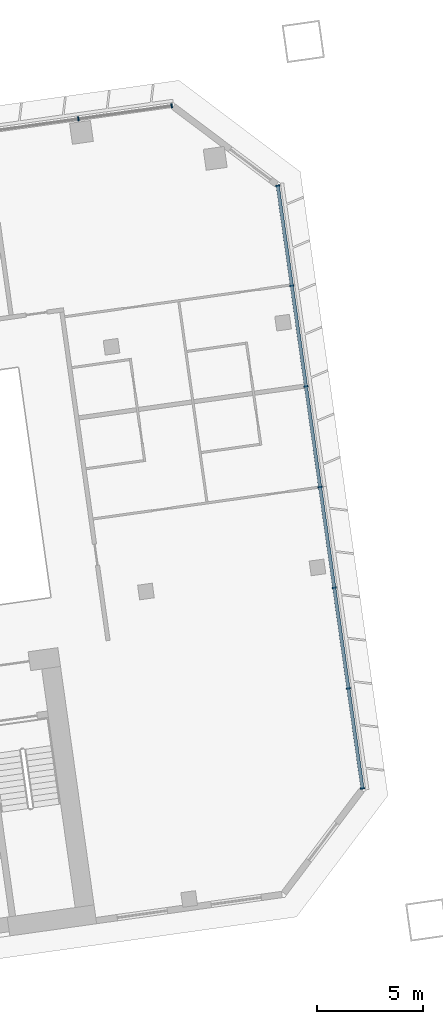
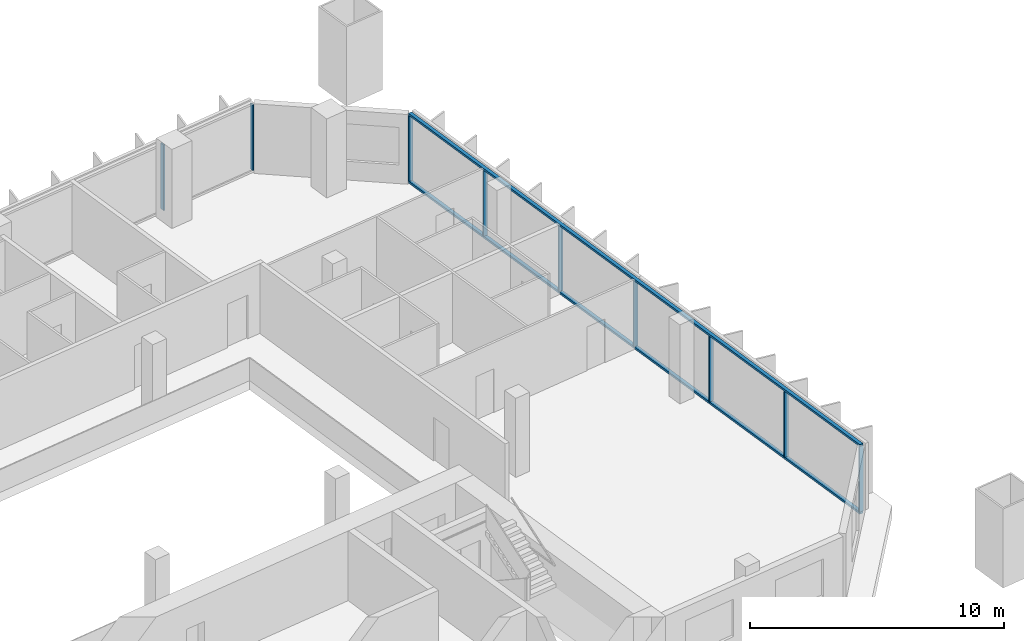
# One storey, part 11 of 25: 11 members, 2 elements without a shape of their own.
"""IFC4 building model written with IfcOpenShell, lengths in metres."""

from ifc_helpers import new_model, si_unit, direction, frame, origin, origin_2d, place, context, subcontext, project, spatial, rectangle, extrude, material, material_profile, profile_set, type_object, element, aggregate, save


model = new_model("IFC4")

# Units and contexts
model_context = context("Model", 3, precision=1e-05, world=origin(), true_north=direction((0.0, 1.0)))
body_context = subcontext(model_context, "Body", "Model", "MODEL_VIEW")
ifc_project = project(units=[si_unit("LENGTHUNIT", "METRE"), si_unit("AREAUNIT", "SQUARE_METRE"), si_unit("VOLUMEUNIT", "CUBIC_METRE"), si_unit("PLANEANGLEUNIT", "RADIAN"), si_unit("MASSUNIT", "GRAM", prefix="KILO")], contexts=[model_context])

# Site, building, storey
site_placement = place(None, origin())
site = spatial("IfcSite", under=ifc_project, at=site_placement, CompositionType="ELEMENT")
building_placement = place(site_placement, origin())
building = spatial("IfcBuilding", under=site, at=building_placement, Name="Mirante Cascada Hotel Towers", CompositionType="ELEMENT")
storey_placement = place(building_placement, frame((0.0, 0.0, 62.3)))
storey = spatial("IfcBuildingStorey", under=building, at=storey_placement, Name="L12", CompositionType="ELEMENT", Elevation=62.3)

# Curtain wall, members
ifc_material_1 = material(Name="Aluminium mullion and transom frame with clear laminated glass", Category="aluminium")
curtain_wall_type_1 = type_object("IfcCurtainWallType", Name="Ribbon curtain wall ECW1", PredefinedType="NOTDEFINED", material=ifc_material_1)
curtain_wall_1_placement = place(storey_placement, origin())
curtain_wall_1 = element("IfcCurtainWall", 1, at=curtain_wall_1_placement, inside=storey, type_object=curtain_wall_type_1, Name="Front ribbon wall T2 L12", PredefinedType="NOTDEFINED")
ifc_material_2 = material(Name="Anodised aluminium extrusion", Category="aluminium")
ifc_material_profile_1 = material_profile(ifc_material_2, rectangle(XDim=0.2, YDim=0.065, at=origin_2d()), Name="ECW1 MULLION 65x200")
ifc_profile_set_1 = profile_set([ifc_material_profile_1], Name="Anodised aluminium extrusion")
member_type_1 = type_object("IfcMemberType", Name="ECW1 mullion 65x200", PredefinedType="MULLION", material=ifc_profile_set_1)
member_1_placement = place(storey_placement, frame((94.126, 26.0476, 0.1), z_axis=(0.0, 0.0, 1.0), x_axis=(0.1391731, -0.9902681, 0.0)))
member_1 = element("IfcMember", 2, at=member_1_placement, type_object=member_type_1, Name="ECW1 mullion 1", PredefinedType="MULLION", context=body_context, shape_type="SweptSolid", body=[
    extrude(rectangle(XDim=0.2, YDim=0.065, at=origin_2d()), origin(), (0.0, 0.0, 1.0), 3.15),
])
member_2_placement = place(storey_placement, frame((89.7107, 25.427, 0.1), z_axis=(0.0, 0.0, 1.0), x_axis=(0.1391731, -0.9902681, 0.0)))
member_2 = element("IfcMember", 3, at=member_2_placement, type_object=member_type_1, Name="ECW1 mullion 2", PredefinedType="MULLION", context=body_context, shape_type="SweptSolid", body=[
    extrude(rectangle(XDim=0.2, YDim=0.065, at=origin_2d()), origin(), (0.0, 0.0, 1.0), 3.15),
])
aggregate(curtain_wall_1, [member_1, member_2])

ifc_material_3 = material(Name="Aluminium mullion and transom frame with clear laminated glass", Category="aluminium")
curtain_wall_type_2 = type_object("IfcCurtainWallType", Name="End ribbon curtain wall ECW2", PredefinedType="NOTDEFINED", material=ifc_material_3)
curtain_wall_2_placement = place(storey_placement, origin())
curtain_wall_2 = element("IfcCurtainWall", 4, at=curtain_wall_2_placement, inside=storey, type_object=curtain_wall_type_2, Name="Outer end wall T2 L12", PredefinedType="NOTDEFINED")
ifc_material_4 = material(Name="Anodised aluminium extrusion", Category="aluminium")
ifc_material_profile_2 = material_profile(ifc_material_4, rectangle(XDim=0.2, YDim=0.065, at=origin_2d()), Name="ECW2 MULLION 65x200")
ifc_profile_set_2 = profile_set([ifc_material_profile_2], Name="Anodised aluminium extrusion")
member_type_2 = type_object("IfcMemberType", Name="ECW2 mullion 65x200", PredefinedType="MULLION", material=ifc_profile_set_2)
member_3_placement = place(storey_placement, frame((103.1556, -6.2656, 0.1), z_axis=(0.0, 0.0, 1.0), x_axis=(-0.9902681, -0.1391731, 0.0)))
member_3 = element("IfcMember", 5, at=member_3_placement, type_object=member_type_2, Name="ECW2 mullion 1", PredefinedType="MULLION", context=body_context, shape_type="SweptSolid", body=[
    extrude(rectangle(XDim=0.2, YDim=0.065, at=origin_2d()), origin(), (0.0, 0.0, 1.0), 3.15),
])
member_4_placement = place(storey_placement, frame((102.4903, -1.532, 0.1), z_axis=(0.0, 0.0, 1.0), x_axis=(-0.9902681, -0.1391731, 0.0)))
member_4 = element("IfcMember", 6, at=member_4_placement, type_object=member_type_2, Name="ECW2 mullion 2", PredefinedType="MULLION", context=body_context, shape_type="SweptSolid", body=[
    extrude(rectangle(XDim=0.2, YDim=0.065, at=origin_2d()), origin(), (0.0, 0.0, 1.0), 3.15),
])
member_5_placement = place(storey_placement, frame((101.8205, 3.2338, 0.1), z_axis=(0.0, 0.0, 1.0), x_axis=(-0.9902681, -0.1391731, 0.0)))
member_5 = element("IfcMember", 7, at=member_5_placement, type_object=member_type_2, Name="ECW2 mullion 3", PredefinedType="MULLION", context=body_context, shape_type="SweptSolid", body=[
    extrude(rectangle(XDim=0.2, YDim=0.065, at=origin_2d()), origin(), (0.0, 0.0, 1.0), 3.15),
])
member_6_placement = place(storey_placement, frame((101.1508, 7.9996, 0.1), z_axis=(0.0, 0.0, 1.0), x_axis=(-0.9902681, -0.1391731, 0.0)))
member_6 = element("IfcMember", 8, at=member_6_placement, type_object=member_type_2, Name="ECW2 mullion 4", PredefinedType="MULLION", context=body_context, shape_type="SweptSolid", body=[
    extrude(rectangle(XDim=0.2, YDim=0.065, at=origin_2d()), origin(), (0.0, 0.0, 1.0), 3.15),
])
member_7_placement = place(storey_placement, frame((100.481, 12.7654, 0.1), z_axis=(0.0, 0.0, 1.0), x_axis=(-0.9902681, -0.1391731, 0.0)))
member_7 = element("IfcMember", 9, at=member_7_placement, type_object=member_type_2, Name="ECW2 mullion 5", PredefinedType="MULLION", context=body_context, shape_type="SweptSolid", body=[
    extrude(rectangle(XDim=0.2, YDim=0.065, at=origin_2d()), origin(), (0.0, 0.0, 1.0), 3.15),
])
member_8_placement = place(storey_placement, frame((99.8112, 17.5312, 0.1), z_axis=(0.0, 0.0, 1.0), x_axis=(-0.9902681, -0.1391731, 0.0)))
member_8 = element("IfcMember", 10, at=member_8_placement, type_object=member_type_2, Name="ECW2 mullion 6", PredefinedType="MULLION", context=body_context, shape_type="SweptSolid", body=[
    extrude(rectangle(XDim=0.2, YDim=0.065, at=origin_2d()), origin(), (0.0, 0.0, 1.0), 3.15),
])
member_9_placement = place(storey_placement, frame((99.1459, 22.2648, 0.1), z_axis=(0.0, 0.0, 1.0), x_axis=(-0.9902681, -0.1391731, 0.0)))
member_9 = element("IfcMember", 11, at=member_9_placement, type_object=member_type_2, Name="ECW2 mullion 7", PredefinedType="MULLION", context=body_context, shape_type="SweptSolid", body=[
    extrude(rectangle(XDim=0.2, YDim=0.065, at=origin_2d()), origin(), (0.0, 0.0, 1.0), 3.15),
])
ifc_material_5 = material(Name="Anodised aluminium extrusion", Category="aluminium")
ifc_material_profile_3 = material_profile(ifc_material_5, rectangle(XDim=0.16, YDim=0.1, at=origin_2d()), Name="ECW2 TRANSOM 100x160")
ifc_profile_set_3 = profile_set([ifc_material_profile_3], Name="Anodised aluminium extrusion")
member_type_3 = type_object("IfcMemberType", Name="ECW2 transom 100x160", PredefinedType="USERDEFINED", material=ifc_profile_set_3)
member_10_placement = place(storey_placement, frame((103.1601, -6.2978, 0.05), z_axis=(-0.1391723, 0.9902682, 0.0), x_axis=(-0.9902682, -0.1391723, 0.0)))
member_10 = element("IfcMember", 12, at=member_10_placement, type_object=member_type_3, Name="ECW2 sill transom", ObjectType="TRANSOM", PredefinedType="USERDEFINED", context=body_context, shape_type="SweptSolid", body=[
    extrude(rectangle(XDim=0.16, YDim=0.1, at=origin_2d()), origin(), (0.0, 0.0, 1.0), 28.8757),
])
member_11_placement = place(storey_placement, frame((103.1601, -6.2978, 3.3), z_axis=(-0.1391723, 0.9902682, 0.0), x_axis=(-0.9902682, -0.1391723, 0.0)))
member_11 = element("IfcMember", 13, at=member_11_placement, type_object=member_type_3, Name="ECW2 head transom", ObjectType="TRANSOM", PredefinedType="USERDEFINED", context=body_context, shape_type="SweptSolid", body=[
    extrude(rectangle(XDim=0.16, YDim=0.1, at=origin_2d()), origin(), (0.0, 0.0, 1.0), 28.8757),
])
aggregate(curtain_wall_2, [member_10, member_11, member_3, member_4, member_5, member_6, member_7, member_8, member_9])

save(model, "model.ifc")
